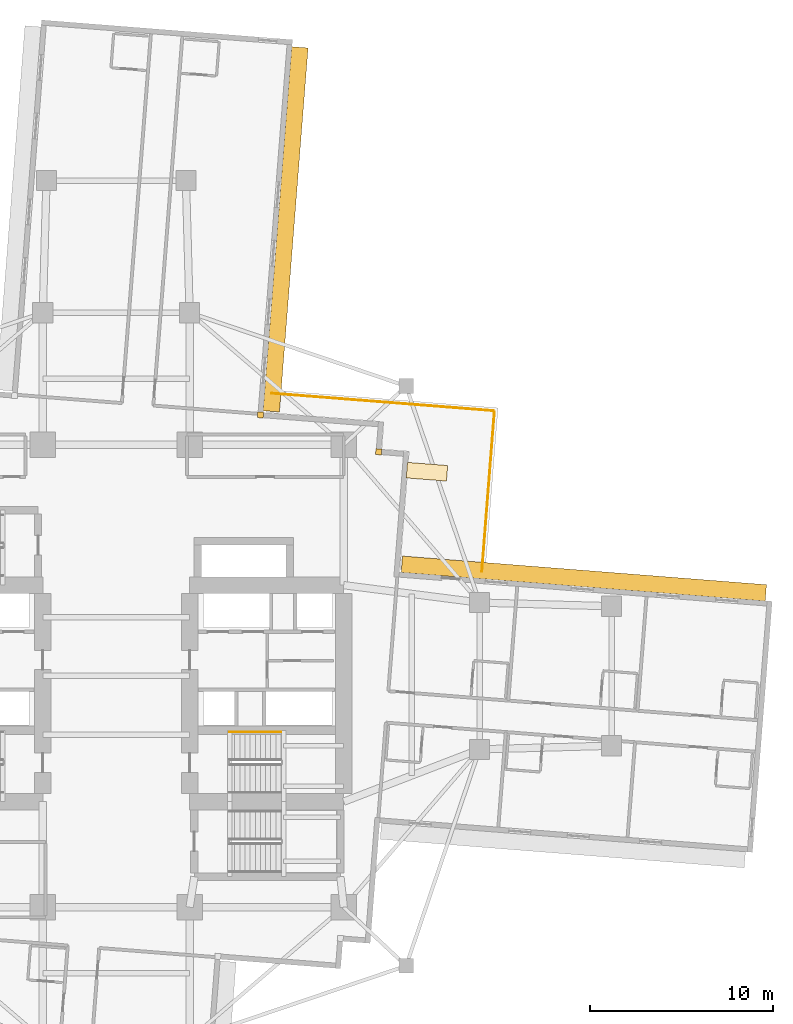
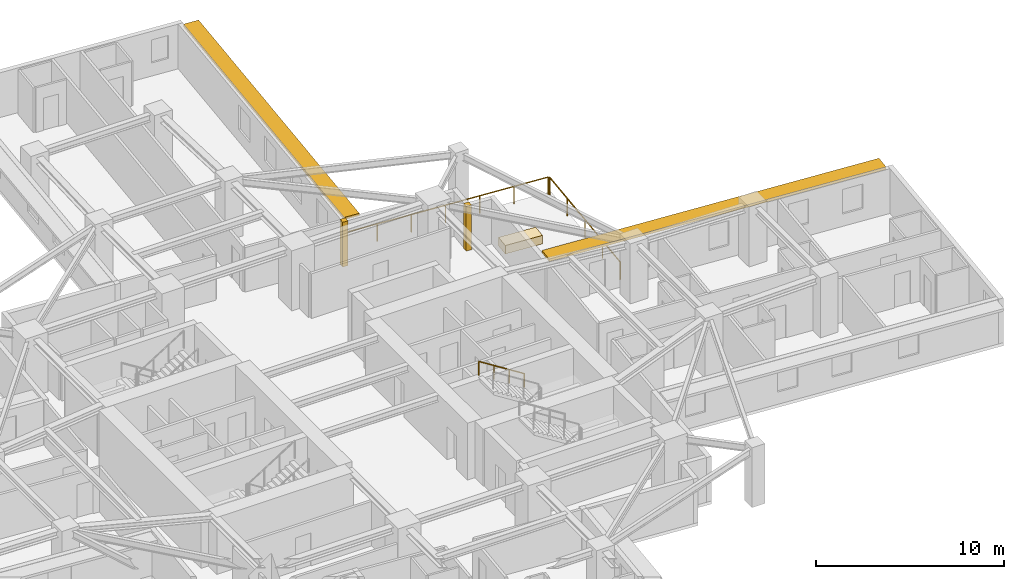
# One storey, part 14 of 14: 3 coverings, 3 railings, 2 shading devices.
"""IFC4 building model written with IfcOpenShell, lengths in metres."""

import ifcopenshell
import ifcopenshell.guid

model = None  # the IFC model being written
_history = None  # IfcOwnerHistory: only IFC2X3 demands one
_inside = {}  # id of a spatial element -> (the spatial element, [elements in it])
_under = {}  # id of a project, library or spatial element -> (it, [spatial elements below it])
_declared = {}  # id of a project -> (the project, [libraries it declares])
_typed = {}  # id of a type object -> (the type object, [elements of that type])
_made_of = {}  # id of a material, layer set ... -> (it, [elements and type objects made of it])


def new_model(schema):
    """Start an empty IFC model of exactly this schema.

    Asked for "IFC4X3", IfcOpenShell would pick the latest addendum, in which some entities
    have other attributes; the version numbers below select the first issue.
    IFC2X3 requires an IfcOwnerHistory on every rooted entity: one is made here for all.
    """
    global model, _history
    if schema == "IFC4X3":
        model = ifcopenshell.file(schema_version=(4, 3, 0, 0))
    else:
        model = ifcopenshell.file(schema=schema)
    _inside.clear()
    _under.clear()
    _declared.clear()
    _typed.clear()
    _made_of.clear()
    _history = None
    if model.schema == "IFC2X3":
        org = make("IfcOrganization", Name="unknown")
        user = make(
            "IfcPersonAndOrganization",
            ThePerson=make("IfcPerson", FamilyName="unknown"),
            TheOrganization=org,
        )
        app = make(
            "IfcApplication",
            ApplicationDeveloper=org,
            Version="unknown",
            ApplicationFullName="unknown",
            ApplicationIdentifier="unknown",
        )
        _history = make(
            "IfcOwnerHistory",
            OwningUser=user,
            OwningApplication=app,
            ChangeAction="ADDED",
            CreationDate=0,
        )
    return model


def make(cls, **values):
    """One entity of the class cls with the attributes given. An attribute that is None is left unset."""
    return model.create_entity(
        cls, **{name: value for name, value in values.items() if value is not None}
    )


def rooted(cls, **values):
    """An entity with a GlobalId (a new one), such as an element, a storey or a relation."""
    return make(cls, GlobalId=ifcopenshell.guid.new(), OwnerHistory=_history, **values)


def si_unit(unit_type, name, prefix=None):
    """IfcSIUnit, for example si_unit("LENGTHUNIT", "METRE", prefix="MILLI")."""
    return make("IfcSIUnit", UnitType=unit_type, Prefix=prefix, Name=name)


def assignment(units):
    """IfcUnitAssignment: the units of a project."""
    return None if units is None else make("IfcUnitAssignment", Units=units)


def point(xyz):
    """IfcCartesianPoint."""
    return None if xyz is None else make("IfcCartesianPoint", Coordinates=xyz)


def direction(xyz):
    """IfcDirection."""
    return None if xyz is None else make("IfcDirection", DirectionRatios=xyz)


def frame(location, z_axis=None, x_axis=None):
    """IfcAxis2Placement3D, a coordinate frame: its origin and axes. An axis left out is left unset."""
    return make(
        "IfcAxis2Placement3D",
        Location=point(location),
        Axis=direction(z_axis),
        RefDirection=direction(x_axis),
    )


def frame_2d(location, x_axis=None):
    """IfcAxis2Placement2D, a coordinate frame in the plane: its origin and x axis."""
    return make(
        "IfcAxis2Placement2D", Location=point(location), RefDirection=direction(x_axis)
    )


def origin():
    """The frame at (0, 0, 0) with its axes left unset."""
    return frame((0.0, 0.0, 0.0))


def origin_2d():
    """The frame at (0, 0) in the plane with its x axis left unset."""
    return frame_2d((0.0, 0.0))


def place(relative_to, where):
    """IfcLocalPlacement: puts the frame where relative to a parent placement (None: the world)."""
    return make(
        "IfcLocalPlacement", PlacementRelTo=relative_to, RelativePlacement=where
    )


def context(
    kind, dimensions, precision=None, world=None, true_north=None, identifier=None
):
    """IfcGeometricRepresentationContext, for example the 3D "Model" context."""
    return make(
        "IfcGeometricRepresentationContext",
        ContextIdentifier=identifier,
        ContextType=kind,
        CoordinateSpaceDimension=dimensions,
        Precision=precision,
        WorldCoordinateSystem=world,
        TrueNorth=true_north,
    )


def subcontext(parent, identifier, kind, view, scale=None):
    """IfcGeometricRepresentationSubContext, for example "Body" below "Model"."""
    return make(
        "IfcGeometricRepresentationSubContext",
        ContextIdentifier=identifier,
        ContextType=kind,
        ParentContext=parent,
        TargetScale=scale,
        TargetView=view,
    )


def project(units=None, contexts=None):
    """IfcProject with its units and contexts."""
    return rooted(
        "IfcProject",
        Name="project",
        RepresentationContexts=contexts,
        UnitsInContext=assignment(units),
    )


def spatial(cls, under=None, at=None, **own):
    """A site, building, storey or space (cls), placed at a placement, below another one or the project."""
    s = rooted(cls, ObjectPlacement=at, **own)
    if under is not None:
        _under.setdefault(under.id(), (under, []))[1].append(s)
    return s


def profile(cls, at=None, kind="AREA", **sizes):
    """A parametric profile (cls). Its sizes go by their IFC names, for example OverallWidth=200.0."""
    return make(cls, ProfileType=kind, Position=at, **sizes)


def rectangle(**sizes):
    """IfcRectangleProfileDef."""
    return profile("IfcRectangleProfileDef", **sizes)


def circle(**sizes):
    """IfcCircleProfileDef."""
    return profile("IfcCircleProfileDef", **sizes)


def extrude(swept, where, along, depth):
    """IfcExtrudedAreaSolid: the profile swept, set in the frame where, extruded along a direction by depth."""
    return make(
        "IfcExtrudedAreaSolid",
        SweptArea=swept,
        Position=where,
        ExtrudedDirection=direction(along),
        Depth=depth,
    )


def shape(context_of_items, identifier, shape_type, items):
    """IfcShapeRepresentation: the items that make up one representation, for example the "Body"."""
    return make(
        "IfcShapeRepresentation",
        ContextOfItems=context_of_items,
        RepresentationIdentifier=identifier,
        RepresentationType=shape_type,
        Items=items,
    )


def material(Name=None, Category=None):
    """IfcMaterial."""
    return make("IfcMaterial", Name=Name, Category=Category)


def layer(
    of_material, thickness, ventilated=None, Name=None, Category=None, Priority=None
):
    """IfcMaterialLayer: one layer of a wall or slab, of a material (None: an air gap)."""
    return make(
        "IfcMaterialLayer",
        Material=of_material,
        LayerThickness=thickness,
        IsVentilated=ventilated,
        Name=Name,
        Category=Category,
        Priority=Priority,
    )


def layer_set(layers, Name=None):
    """IfcMaterialLayerSet."""
    return make("IfcMaterialLayerSet", MaterialLayers=layers, LayerSetName=Name)


def made_of(thing, what):
    """Note that an element or type object is made of a material, layer set ...; save() writes the relation."""
    if what is not None:
        _made_of.setdefault(what.id(), (what, []))[1].append(thing)
    return thing


def type_object(cls, material=None, **own):
    """A type object (cls), such as IfcWallType, which elements share."""
    return made_of(rooted(cls, **own), material)


def element(
    cls,
    number,
    at=None,
    inside=None,
    cuts=None,
    type_object=None,
    material=None,
    context=None,
    identifier="Body",
    shape_type=None,
    held_by="IfcProductDefinitionShape",
    body=None,
    shapes=None,
    **own,
):
    """One element of the class cls, such as IfcWall. Its Tag is "e" and its number.

    at: its placement. inside: the storey or other place that contains it. cuts: it is an
    opening in that element (IfcRelVoidsElement). A single representation is given by context,
    identifier, shape_type and body (its items); several are given by shapes. held_by: the class
    of the entity that holds the representations. save() writes the other relations.
    """
    e = rooted(cls, Tag="e%d" % number, ObjectPlacement=at, **own)
    if body is not None:
        shapes = [shape(context, identifier, shape_type, body)]
    if shapes is not None:
        e.Representation = make(held_by, Representations=shapes)
    if inside is not None:
        _inside.setdefault(inside.id(), (inside, []))[1].append(e)
    if cuts is not None:
        rooted(
            "IfcRelVoidsElement", RelatingBuildingElement=cuts, RelatedOpeningElement=e
        )
    if type_object is not None:
        _typed.setdefault(type_object.id(), (type_object, []))[1].append(e)
    return made_of(e, material)


def aggregate(whole, parts):
    """IfcRelAggregates: a whole, such as a stair, and the parts it consists of."""
    return rooted("IfcRelAggregates", RelatingObject=whole, RelatedObjects=parts)


def save(model, path):
    """Write the relations noted so far, then the file.

    IfcRelAggregates (storeys below a building ...), IfcRelContainedInSpatialStructure (elements
    in a storey), IfcRelDefinesByType, IfcRelAssociatesMaterial and IfcRelDeclares: one each for
    every whole, place, type object, material and project.
    """
    for whole, parts in _under.values():
        aggregate(whole, parts)
    for where, things in _inside.values():
        rooted(
            "IfcRelContainedInSpatialStructure",
            RelatedElements=things,
            RelatingStructure=where,
        )
    for kind, things in _typed.values():
        rooted("IfcRelDefinesByType", RelatedObjects=things, RelatingType=kind)
    for what, things in _made_of.values():
        rooted("IfcRelAssociatesMaterial", RelatedObjects=things, RelatingMaterial=what)
    for by, libraries in _declared.values():
        rooted("IfcRelDeclares", RelatingContext=by, RelatedDefinitions=libraries)
    model.write(path)


model = new_model("IFC4")

# Units and contexts
model_context = context("Model", 3, precision=1e-05, world=origin(), true_north=direction((0.0, 1.0)))
body_context = subcontext(model_context, "Body", "Model", "MODEL_VIEW")
ifc_project = project(units=[si_unit("LENGTHUNIT", "METRE"), si_unit("AREAUNIT", "SQUARE_METRE"), si_unit("VOLUMEUNIT", "CUBIC_METRE"), si_unit("PLANEANGLEUNIT", "RADIAN"), si_unit("MASSUNIT", "GRAM", prefix="KILO")], contexts=[model_context])

# Site, building, storey
site_placement = place(None, origin())
site = spatial("IfcSite", under=ifc_project, at=site_placement, CompositionType="ELEMENT")
building_placement = place(site_placement, origin())
building = spatial("IfcBuilding", under=site, at=building_placement, Name="Qingluan Cross Belvedere", CompositionType="ELEMENT")
storey_placement = place(building_placement, frame((0.0, 0.0, 83.39990234375)))
storey = spatial("IfcBuildingStorey", under=building, at=storey_placement, Name="L21", CompositionType="ELEMENT", Elevation=83.39990234375)

# Coverings
ifc_material_1 = material(Name="Precast concrete C45", Category="concrete")
ifc_layer_1 = layer(ifc_material_1, 0.1201171875, Name="ConcreteSpandrelCladding_120")
ifc_layer_set_1 = layer_set([ifc_layer_1], Name="Precast concrete C45")
covering_type_1 = type_object("IfcCoveringType", Name="ConcreteSpandrelCladding_120", PredefinedType="CLADDING", material=ifc_layer_set_1)
for number, where, z_axis, x_axis, name in (
    (1, (14.302490234375, 12.215576171875, 0.0), (0.0, 0.0, 1.0), (0.996917333733, -0.078459095728, 0.0), "Corner closure L21-NE1"),
    (2, (7.860595703125, 14.22705078125, 0.0), (0.0, 0.0, 1.0), (0.996917333733, -0.078459095728, 0.0), "Corner closure L21-NE2"),
):
    element("IfcCovering", number, at=place(storey_placement, frame(where, z_axis=z_axis, x_axis=x_axis)), inside=storey, type_object=covering_type_1, Name=name, PredefinedType="CLADDING", context=body_context, shape_type="SweptSolid", body=[
        extrude(rectangle(XDim=0.320068359375, YDim=0.320068359375, at=origin_2d()), origin(), (0.0, 0.0, 1.0), 2.909912109375),
    ])

# Shading devices
ifc_material_2 = material(Name="Precast concrete C45", Category="concrete")
ifc_layer_2 = layer(ifc_material_2, 0.159912109375, Name="ConcreteSunshadeBand_900")
ifc_layer_set_2 = layer_set([ifc_layer_2], Name="Precast concrete C45")
shading_device_type = type_object("IfcShadingDeviceType", Name="ConcreteSunshadeBand_900", PredefinedType="USERDEFINED", material=ifc_layer_set_2)
for number, where, z_axis, x_axis, name in (
    (3, (25.48486328125, 5.306884765625, 2.72998046875), (0.0, 0.0, 1.0), (-0.996917430244, 0.078457869429, 0.0), "Concrete SUNSHADE L21-EB"),
    (4, (9.228271484375, 24.341064453125, 2.72998046875), (0.0, 0.0, 1.0), (0.078457869429, 0.996917430244, 0.0), "Concrete SUNSHADE L21-NA"),
):
    element("IfcShadingDevice", number, at=place(storey_placement, frame(where, z_axis=z_axis, x_axis=x_axis)), inside=storey, type_object=shading_device_type, Name=name, ObjectType="SUNSHADE", PredefinedType="USERDEFINED", context=body_context, shape_type="SweptSolid", body=[
        extrude(rectangle(XDim=19.89990234375, YDim=0.89990234375, at=origin_2d()), origin(), (0.0, 0.0, 1.0), 0.159912109375),
    ])

# Railings
ifc_material_3 = material(Name="Brushed stainless steel tubular handrail", Category="steel")
railing_type_1 = type_object("IfcRailingType", Name="StairPitchHandrail_900", PredefinedType="HANDRAIL", material=ifc_material_3)
railing_1_placement = place(storey_placement, frame((8.97998046875, -3.050048828125, 2.12744140625)))
element("IfcRailing", 5, at=railing_1_placement, inside=storey, type_object=railing_type_1, Name="L21 ST2 stair handrail 2", PredefinedType="HANDRAIL", context=body_context, shape_type="SweptSolid", body=[
    extrude(circle(Radius=0.02392578125, at=origin_2d()), frame((0.0, 0.0, 0.8759765625), z_axis=(-0.844908973607, 0.0, 0.534910110503), x_axis=(0.0, -1.0, 0.0)), (0.0, 0.0, 1.0), 3.31396484375),
    extrude(circle(Radius=0.02099609375, at=origin_2d()), origin(), (0.0, 0.0, 1.0), 0.851806640625),
    extrude(circle(Radius=0.02099609375, at=origin_2d()), frame((-0.933349609375, 0.0, 0.5908203125)), (0.0, 0.0, 1.0), 0.851806640625),
    extrude(circle(Radius=0.02099609375, at=origin_2d()), frame((-1.86669921875, 0.0, 1.181884765625)), (0.0, 0.0, 1.0), 0.851806640625),
    extrude(circle(Radius=0.02099609375, at=origin_2d()), frame((-2.800048828125, 0.0, 1.772705078125)), (0.0, 0.0, 1.0), 0.851806640625),
])
ifc_material_4 = material(Name="Laminated glass and stainless steel balustrade", Category="steel")
railing_type_2 = type_object("IfcRailingType", Name="TerraceGuardBalustrade_1150", PredefinedType="BALUSTRADE", material=ifc_material_4)
railing_2_placement = place(storey_placement, frame((8.474609375, 15.402587890625, 0.0)))
element("IfcRailing", 6, at=railing_2_placement, inside=storey, type_object=railing_type_2, Name="Terrace guard L21-1", PredefinedType="BALUSTRADE", context=body_context, shape_type="SweptSolid", body=[
    extrude(circle(Radius=0.02392578125, at=origin_2d()), frame((0.0, 0.0, 1.1259765625), z_axis=(0.996917250968, -0.078460147353, 0.0), x_axis=(0.078460147353, 0.996917250968, 0.0)), (0.0, 0.0, 1.0), 12.119873046875),
    extrude(circle(Radius=0.02099609375, at=origin_2d()), origin(), (0.0, 0.0, 1.0), 1.101806640625),
    extrude(circle(Radius=0.02099609375, at=origin_2d()), frame((2.013671875, -0.158447265625, 0.0)), (0.0, 0.0, 1.0), 1.101806640625),
    extrude(circle(Radius=0.02099609375, at=origin_2d()), frame((4.027587890625, -0.31689453125, 0.0)), (0.0, 0.0, 1.0), 1.101806640625),
    extrude(circle(Radius=0.02099609375, at=origin_2d()), frame((6.041259765625, -0.4755859375, 0.0)), (0.0, 0.0, 1.0), 1.101806640625),
    extrude(circle(Radius=0.02099609375, at=origin_2d()), frame((8.054931640625, -0.634033203125, 0.0)), (0.0, 0.0, 1.0), 1.101806640625),
    extrude(circle(Radius=0.02099609375, at=origin_2d()), frame((10.06884765625, -0.79248046875, 0.0)), (0.0, 0.0, 1.0), 1.101806640625),
    extrude(circle(Radius=0.02099609375, at=origin_2d()), frame((12.08251953125, -0.950927734375, 0.0)), (0.0, 0.0, 1.0), 1.101806640625),
])
railing_3_placement = place(storey_placement, frame((20.6123046875, 14.38720703125, 0.0)))
element("IfcRailing", 7, at=railing_3_placement, inside=storey, type_object=railing_type_2, Name="Terrace guard L21-2", PredefinedType="BALUSTRADE", context=body_context, shape_type="SweptSolid", body=[
    extrude(circle(Radius=0.02392578125, at=origin_2d()), frame((0.0, 0.0, 1.1259765625), z_axis=(-0.078449866717, -0.996918060029, 0.0), x_axis=(0.996918060029, -0.078449866717, 0.0)), (0.0, 0.0, 1.0), 8.719970703125),
    extrude(circle(Radius=0.02099609375, at=origin_2d()), origin(), (0.0, 0.0, 1.0), 1.101806640625),
    extrude(circle(Radius=0.02099609375, at=origin_2d()), frame((-0.1708984375, -2.17333984375, 0.0)), (0.0, 0.0, 1.0), 1.101806640625),
    extrude(circle(Radius=0.02099609375, at=origin_2d()), frame((-0.342041015625, -4.3466796875, 0.0)), (0.0, 0.0, 1.0), 1.101806640625),
    extrude(circle(Radius=0.02099609375, at=origin_2d()), frame((-0.51318359375, -6.519775390625, 0.0)), (0.0, 0.0, 1.0), 1.101806640625),
    extrude(circle(Radius=0.02099609375, at=origin_2d()), frame((-0.68408203125, -8.693115234375, 0.0)), (0.0, 0.0, 1.0), 1.101806640625),
])

# Covering
ifc_material_5 = material(Name="Precast concrete C40", Category="concrete")
ifc_layer_3 = layer(ifc_material_5, 0.550048828125, Name="TerracePlanterBox")
ifc_layer_set_3 = layer_set([ifc_layer_3], Name="Precast concrete C40")
covering_type_2 = type_object("IfcCoveringType", Name="TerracePlanterBox", PredefinedType="USERDEFINED", material=ifc_layer_set_3)
covering_placement = place(storey_placement, frame((16.93505859375, 11.131103515625, 0.0), z_axis=(0.0, 0.0, 1.0), x_axis=(0.996917333733, -0.078459095728, 0.0)))
element("IfcCovering", 8, at=covering_placement, inside=storey, type_object=covering_type_2, Name="Spiralling winter-garden planter L21", ObjectType="PLANTER", PredefinedType="USERDEFINED", context=body_context, shape_type="SweptSolid", body=[
    extrude(rectangle(XDim=2.199951171875, YDim=0.85009765625, at=origin_2d()), origin(), (0.0, 0.0, 1.0), 0.550048828125),
])

save(model, "model.ifc")
